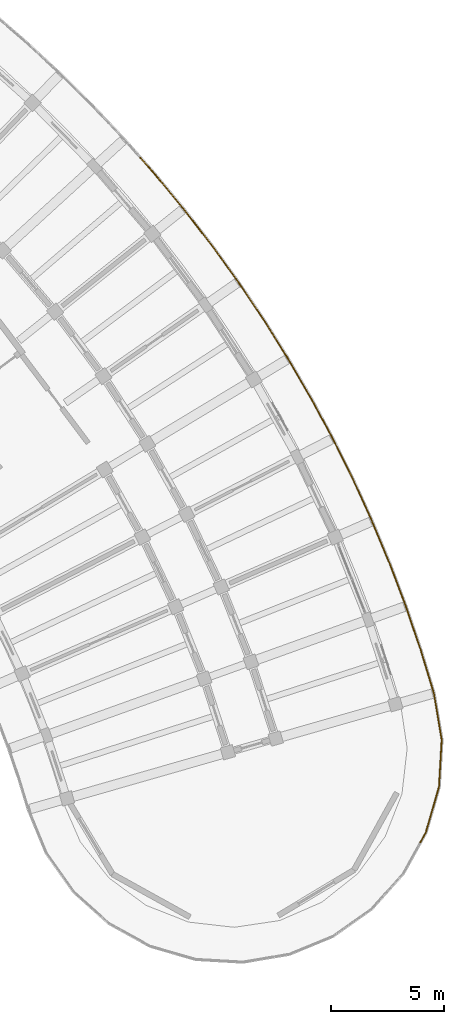
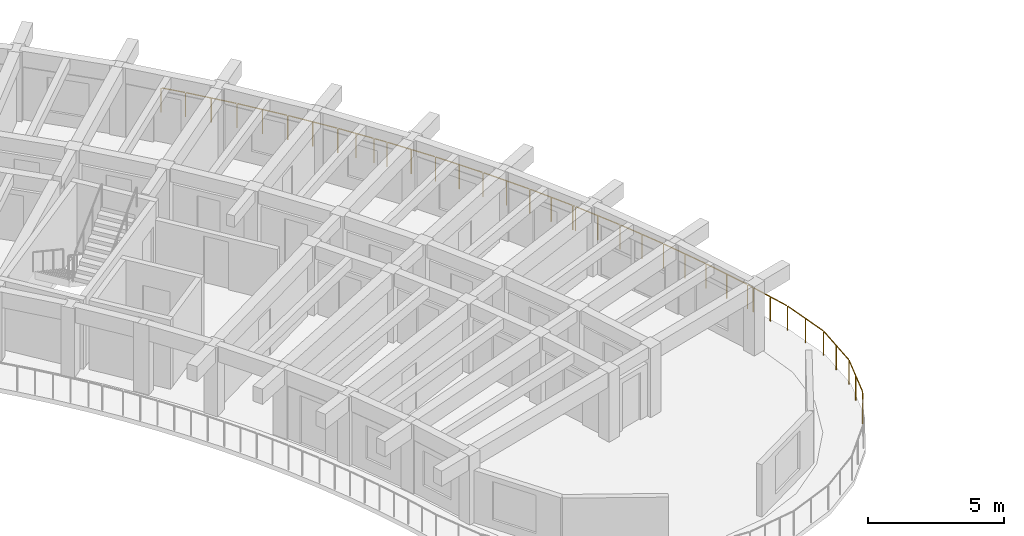
# One storey, part 79 of 81: 4 railings.
"""IFC4 building model written with IfcOpenShell, lengths in metres."""

from ifc_helpers import new_model, si_unit, direction, frame, origin, origin_2d, place, context, subcontext, project, spatial, circle, extrude, material, type_object, element, save


model = new_model("IFC4")

# Units and contexts
model_context = context("Model", 3, precision=1e-05, world=origin(), true_north=direction((0.0, 1.0)))
body_context = subcontext(model_context, "Body", "Model", "MODEL_VIEW")
ifc_project = project(units=[si_unit("LENGTHUNIT", "METRE"), si_unit("AREAUNIT", "SQUARE_METRE"), si_unit("VOLUMEUNIT", "CUBIC_METRE"), si_unit("PLANEANGLEUNIT", "RADIAN"), si_unit("MASSUNIT", "GRAM", prefix="KILO")], contexts=[model_context])

# Site, building, storey
site_placement = place(None, origin())
site = spatial("IfcSite", under=ifc_project, at=site_placement, CompositionType="ELEMENT")
building_placement = place(site_placement, origin())
building = spatial("IfcBuilding", under=site, at=building_placement, Name="Tanwirah Colonnade Gardens", CompositionType="ELEMENT")
storey_placement = place(building_placement, frame((0.0, 0.0, 18.919921875)))
storey = spatial("IfcBuildingStorey", under=building, at=storey_placement, Name="L05", CompositionType="ELEMENT", Elevation=18.919921875)

# Railings
ifc_material = material(Name="Precast concrete C40/50", Category="concrete")
railing_type = type_object("IfcRailingType", Name="BAL-EXT112", PredefinedType="BALUSTRADE", material=ifc_material)
railing_1_placement = place(storey_placement, frame((166.9609375, 100.77978515625, 0.0)))
element("IfcRailing", 1, at=railing_1_placement, inside=storey, type_object=railing_type, Name="Block B L05 Balcony Ribbon Balustrade 16", PredefinedType="BALUSTRADE", context=body_context, shape_type="SweptSolid", body=[
    extrude(circle(Radius=0.02392578125, at=origin_2d()), frame((0.020751953125, -0.0234375, 1.09619140625), z_axis=(0.662540558748, -0.74902603961, 0.0), x_axis=(0.74902603961, 0.662540558748, 0.0)), (0.0, 0.0, 1.0), 0.885986328125),
    extrude(circle(Radius=0.02392578125, at=origin_2d()), frame((0.6484375, -0.734619140625, 1.09619140625), z_axis=(0.637555355491, -0.770404548717, 0.0), x_axis=(0.770404548717, 0.637555355491, 0.0)), (0.0, 0.0, 1.0), 1.958984375),
    extrude(circle(Radius=0.02392578125, at=origin_2d()), frame((1.936279296875, -2.29248046875, 1.09619140625), z_axis=(0.611856467608, -0.790968812942, 0.0), x_axis=(0.790968812942, 0.611856467608, 0.0)), (0.0, 0.0, 1.0), 1.958984375),
    extrude(circle(Radius=0.02392578125, at=origin_2d()), frame((3.17236328125, -3.89208984375, 1.09619140625), z_axis=(0.585468507287, -0.810695150457, 0.0), x_axis=(0.810695150457, 0.585468507287, 0.0)), (0.0, 0.0, 1.0), 1.958984375),
    extrude(circle(Radius=0.02392578125, at=origin_2d()), frame((4.35498046875, -5.531494140625, 1.09619140625), z_axis=(0.558332900228, -0.829617003516, 0.0), x_axis=(0.829617003516, 0.558332900228, 0.0)), (0.0, 0.0, 1.0), 1.424072265625),
    extrude(circle(Radius=0.02099609375, at=origin_2d()), origin(), (0.0, 0.0, 1.0), 1.069091796875),
    extrude(circle(Radius=0.02099609375, at=origin_2d()), frame((0.62841796875, -0.71044921875, 0.0)), (0.0, 0.0, 1.0), 1.069091796875),
    extrude(circle(Radius=0.02099609375, at=origin_2d()), frame((1.27294921875, -1.4892578125, 0.0)), (0.0, 0.0, 1.0), 1.069091796875),
    extrude(circle(Radius=0.02099609375, at=origin_2d()), frame((1.917236328125, -2.267822265625, 0.0)), (0.0, 0.0, 1.0), 1.069091796875),
    extrude(circle(Radius=0.02099609375, at=origin_2d()), frame((2.53564453125, -3.0673828125, 0.0)), (0.0, 0.0, 1.0), 1.069091796875),
    extrude(circle(Radius=0.02099609375, at=origin_2d()), frame((3.154052734375, -3.86669921875, 0.0)), (0.0, 0.0, 1.0), 1.069091796875),
    extrude(circle(Radius=0.02099609375, at=origin_2d()), frame((3.745849609375, -4.68603515625, 0.0)), (0.0, 0.0, 1.0), 1.069091796875),
    extrude(circle(Radius=0.02099609375, at=origin_2d()), frame((4.337646484375, -5.505615234375, 0.0)), (0.0, 0.0, 1.0), 1.069091796875),
    extrude(circle(Radius=0.02099609375, at=origin_2d()), frame((4.752685546875, -6.122314453125, 0.0)), (0.0, 0.0, 1.0), 1.069091796875),
    extrude(circle(Radius=0.02099609375, at=origin_2d()), frame((5.167724609375, -6.739013671875, 0.0)), (0.0, 0.0, 1.0), 1.069091796875),
])
railing_2_placement = place(storey_placement, frame((172.128662109375, 94.040771484375, 0.0)))
element("IfcRailing", 2, at=railing_2_placement, inside=storey, type_object=railing_type, Name="Block B L05 Balcony Ribbon Balustrade 17", PredefinedType="BALUSTRADE", context=body_context, shape_type="SweptSolid", body=[
    extrude(circle(Radius=0.02392578125, at=origin_2d()), frame((0.017578125, -0.02587890625, 1.09619140625), z_axis=(0.558382411213, -0.829583680437, 0.0), x_axis=(0.829583680437, 0.558382411213, 0.0)), (0.0, 0.0, 1.0), 0.47216796875),
    extrude(circle(Radius=0.02392578125, at=origin_2d()), frame((0.315185546875, -0.47021484375, 1.09619140625), z_axis=(0.530812919598, -0.847489023167, 0.0), x_axis=(0.847489023167, 0.530812919598, 0.0)), (0.0, 0.0, 1.0), 1.958984375),
    extrude(circle(Radius=0.02392578125, at=origin_2d()), frame((1.38720703125, -2.183837890625, 1.09619140625), z_axis=(0.502421024862, -0.864623105045, 0.0), x_axis=(0.864623105045, 0.502421024862, 0.0)), (0.0, 0.0, 1.0), 1.958984375),
    extrude(circle(Radius=0.02392578125, at=origin_2d()), frame((2.402099609375, -3.93212890625, 1.09619140625), z_axis=(0.473826102441, -0.88061843306, 0.0), x_axis=(0.88061843306, 0.473826102441, 0.0)), (0.0, 0.0, 1.0), 1.958740234375),
    extrude(circle(Radius=0.02392578125, at=origin_2d()), frame((3.35888671875, -5.712646484375, 1.09619140625), z_axis=(0.444437722231, -0.895809751598, 0.0), x_axis=(0.895809751598, 0.444437722231, 0.0)), (0.0, 0.0, 1.0), 1.838623046875),
    extrude(circle(Radius=0.02099609375, at=origin_2d()), origin(), (0.0, 0.0, 1.0), 1.069091796875),
    extrude(circle(Radius=0.02099609375, at=origin_2d()), frame((0.298583984375, -0.443603515625, 0.0)), (0.0, 0.0, 1.0), 1.069091796875),
    extrude(circle(Radius=0.02099609375, at=origin_2d()), frame((0.8349609375, -1.30029296875, 0.0)), (0.0, 0.0, 1.0), 1.069091796875),
    extrude(circle(Radius=0.02099609375, at=origin_2d()), frame((1.37158203125, -2.15673828125, 0.0)), (0.0, 0.0, 1.0), 1.069091796875),
    extrude(circle(Radius=0.02099609375, at=origin_2d()), frame((1.87939453125, -3.03076171875, 0.0)), (0.0, 0.0, 1.0), 1.069091796875),
    extrude(circle(Radius=0.02099609375, at=origin_2d()), frame((2.38720703125, -3.904541015625, 0.0)), (0.0, 0.0, 1.0), 1.069091796875),
    extrude(circle(Radius=0.02099609375, at=origin_2d()), frame((2.8662109375, -4.79443359375, 0.0)), (0.0, 0.0, 1.0), 1.069091796875),
    extrude(circle(Radius=0.02099609375, at=origin_2d()), frame((3.344970703125, -5.6845703125, 0.0)), (0.0, 0.0, 1.0), 1.069091796875),
    extrude(circle(Radius=0.02099609375, at=origin_2d()), frame((3.767578125, -6.5361328125, 0.0)), (0.0, 0.0, 1.0), 1.069091796875),
    extrude(circle(Radius=0.02099609375, at=origin_2d()), frame((4.18994140625, -7.3876953125, 0.0)), (0.0, 0.0, 1.0), 1.069091796875),
])
railing_3_placement = place(storey_placement, frame((176.318603515625, 86.653076171875, 0.0)))
element("IfcRailing", 3, at=railing_3_placement, inside=storey, type_object=railing_type, Name="Block B L05 Balcony Ribbon Balustrade 18", PredefinedType="BALUSTRADE", context=body_context, shape_type="SweptSolid", body=[
    extrude(circle(Radius=0.02392578125, at=origin_2d()), frame((0.013916015625, -0.028076171875, 1.09619140625), z_axis=(0.443967059849, -0.896043107093, 0.0), x_axis=(0.896043107093, 0.443967059849, 0.0)), (0.0, 0.0, 1.0), 0.057861328125),
    extrude(circle(Radius=0.02392578125, at=origin_2d()), frame((0.06640625, -0.136474609375, 1.09619140625), z_axis=(0.414749084938, -0.909935820013, 0.0), x_axis=(0.909935820013, 0.414749084938, 0.0)), (0.0, 0.0, 1.0), 1.958984375),
    extrude(circle(Radius=0.02392578125, at=origin_2d()), frame((0.90380859375, -1.97607421875, 1.09619140625), z_axis=(0.384409566544, -0.92316265368, 0.0), x_axis=(0.92316265368, 0.384409566544, 0.0)), (0.0, 0.0, 1.0), 1.958984375),
    extrude(circle(Radius=0.02392578125, at=origin_2d()), frame((1.679931640625, -3.8427734375, 1.09619140625), z_axis=(0.353874964852, -0.935292739869, 0.0), x_axis=(0.935292739869, 0.353874964852, 0.0)), (0.0, 0.0, 1.0), 1.958984375),
    extrude(circle(Radius=0.02392578125, at=origin_2d()), frame((2.394287109375, -5.733642578125, 1.09619140625), z_axis=(0.322850987486, -0.946449808431, 0.0), x_axis=(0.946449808431, 0.322850987486, 0.0)), (0.0, 0.0, 1.0), 1.958740234375),
    extrude(circle(Radius=0.02392578125, at=origin_2d()), frame((3.0458984375, -7.647216796875, 1.09619140625), z_axis=(0.290930071213, -0.956744319902, 0.0), x_axis=(0.956744319902, 0.290930071213, 0.0)), (0.0, 0.0, 1.0), 0.231201171875),
    extrude(circle(Radius=0.02099609375, at=origin_2d()), origin(), (0.0, 0.0, 1.0), 1.069091796875),
    extrude(circle(Radius=0.02099609375, at=origin_2d()), frame((0.053466796875, -0.10791015625, 0.0)), (0.0, 0.0, 1.0), 1.069091796875),
    extrude(circle(Radius=0.02099609375, at=origin_2d()), frame((0.47265625, -1.027587890625, 0.0)), (0.0, 0.0, 1.0), 1.069091796875),
    extrude(circle(Radius=0.02099609375, at=origin_2d()), frame((0.891845703125, -1.947265625, 0.0)), (0.0, 0.0, 1.0), 1.069091796875),
    extrude(circle(Radius=0.02099609375, at=origin_2d()), frame((1.2802734375, -2.88037109375, 0.0)), (0.0, 0.0, 1.0), 1.069091796875),
    extrude(circle(Radius=0.02099609375, at=origin_2d()), frame((1.6689453125, -3.8134765625, 0.0)), (0.0, 0.0, 1.0), 1.069091796875),
    extrude(circle(Radius=0.02099609375, at=origin_2d()), frame((2.026611328125, -4.7587890625, 0.0)), (0.0, 0.0, 1.0), 1.069091796875),
    extrude(circle(Radius=0.02099609375, at=origin_2d()), frame((2.38427734375, -5.7041015625, 0.0)), (0.0, 0.0, 1.0), 1.069091796875),
    extrude(circle(Radius=0.02099609375, at=origin_2d()), frame((2.71044921875, -6.66064453125, 0.0)), (0.0, 0.0, 1.0), 1.069091796875),
    extrude(circle(Radius=0.02099609375, at=origin_2d()), frame((3.036865234375, -7.6171875, 0.0)), (0.0, 0.0, 1.0), 1.069091796875),
    extrude(circle(Radius=0.02099609375, at=origin_2d()), frame((3.122314453125, -7.898193359375, 0.0)), (0.0, 0.0, 1.0), 1.069091796875),
])
railing_4_placement = place(storey_placement, frame((179.44091796875, 78.7548828125, 0.0)))
element("IfcRailing", 4, at=railing_4_placement, inside=storey, type_object=railing_type, Name="Block B L05 Balcony Ribbon Balustrade 19", PredefinedType="BALUSTRADE", context=body_context, shape_type="SweptSolid", body=[
    extrude(circle(Radius=0.02392578125, at=origin_2d()), frame((0.009033203125, -0.02978515625, 1.09619140625), z_axis=(0.29143772277, -0.956589804329, 0.0), x_axis=(0.956589804329, 0.29143772277, 0.0)), (0.0, 0.0, 1.0), 1.661376953125),
    extrude(circle(Radius=0.02392578125, at=origin_2d()), frame((0.507568359375, -1.679931640625, 1.09619140625), z_axis=(0.166292387508, -0.986076488847, 0.0), x_axis=(0.986076488847, 0.166292387508, 0.0)), (0.0, 0.0, 1.0), 2.028076171875),
    extrude(circle(Radius=0.02392578125, at=origin_2d()), frame((0.848388671875, -3.741943359375, 1.09619140625), z_axis=(-0.057322977065, -0.998355686266, 0.0), x_axis=(0.998355686266, -0.057322977065, 0.0)), (0.0, 0.0, 1.0), 2.0244140625),
    extrude(circle(Radius=0.02392578125, at=origin_2d()), frame((0.7216796875, -5.82421875, 1.09619140625), z_axis=(-0.277964335026, -0.960591395159, 0.0), x_axis=(0.960591395159, -0.277964335026, 0.0)), (0.0, 0.0, 1.0), 2.0244140625),
    extrude(circle(Radius=0.02392578125, at=origin_2d()), frame((0.13525390625, -7.826171875, 1.09619140625), z_axis=(-0.48479192052, -0.874629518024, 0.0), x_axis=(0.874629518024, -0.48479192052, 0.0)), (0.0, 0.0, 1.0), 0.44921875),
    extrude(circle(Radius=0.02099609375, at=origin_2d()), origin(), (0.0, 0.0, 1.0), 1.069091796875),
    extrude(circle(Radius=0.02099609375, at=origin_2d()), frame((0.251220703125, -0.82470703125, 0.0)), (0.0, 0.0, 1.0), 1.069091796875),
    extrude(circle(Radius=0.02099609375, at=origin_2d()), frame((0.50244140625, -1.649169921875, 0.0)), (0.0, 0.0, 1.0), 1.069091796875),
    extrude(circle(Radius=0.02099609375, at=origin_2d()), frame((0.67626953125, -2.679931640625, 0.0)), (0.0, 0.0, 1.0), 1.069091796875),
    extrude(circle(Radius=0.02099609375, at=origin_2d()), frame((0.85009765625, -3.710693359375, 0.0)), (0.0, 0.0, 1.0), 1.069091796875),
    extrude(circle(Radius=0.02099609375, at=origin_2d()), frame((0.790283203125, -4.75244140625, 0.0)), (0.0, 0.0, 1.0), 1.069091796875),
    extrude(circle(Radius=0.02099609375, at=origin_2d()), frame((0.73046875, -5.794189453125, 0.0)), (0.0, 0.0, 1.0), 1.069091796875),
    extrude(circle(Radius=0.02099609375, at=origin_2d()), frame((0.4404296875, -6.79638671875, 0.0)), (0.0, 0.0, 1.0), 1.069091796875),
    extrude(circle(Radius=0.02099609375, at=origin_2d()), frame((0.150390625, -7.798828125, 0.0)), (0.0, 0.0, 1.0), 1.069091796875),
    extrude(circle(Radius=0.02099609375, at=origin_2d()), frame((-0.09765625, -8.246337890625, 0.0)), (0.0, 0.0, 1.0), 1.069091796875),
])

save(model, "model.ifc")
